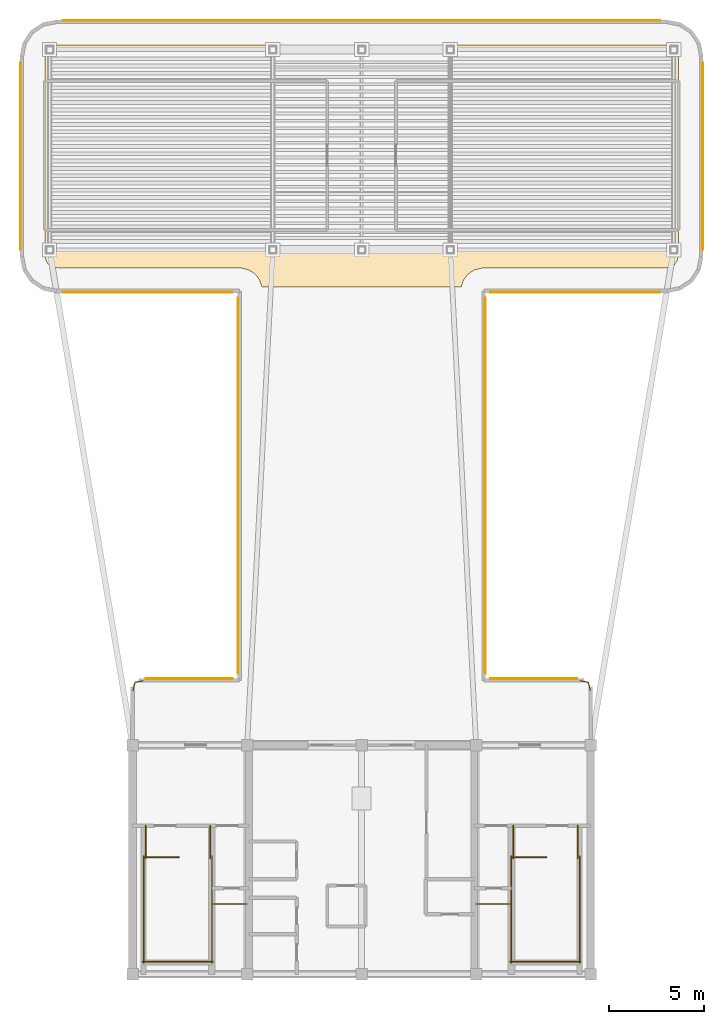
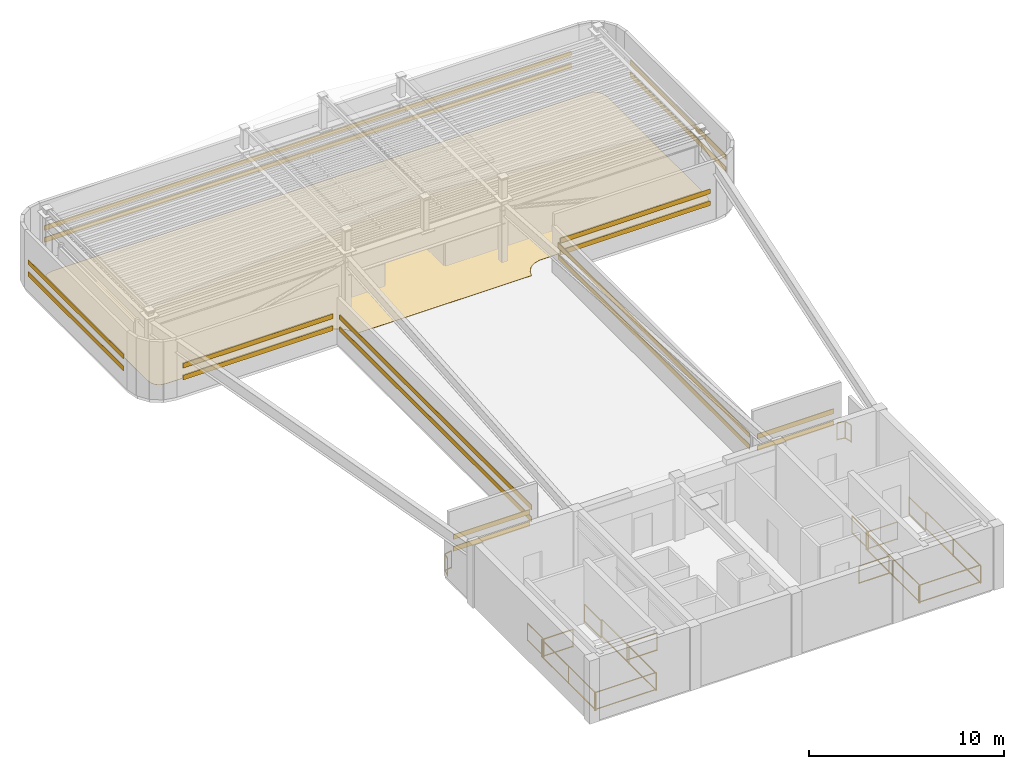
# One storey, part 7 of 7: 18 shading devices, 16 railings, 1 covering.
"""IFC4 building model written with IfcOpenShell, lengths in metres."""

from ifc_helpers import new_model, si_unit, direction, frame, origin, origin_2d, place, context, subcontext, project, spatial, polyline, rectangle, outline, extrude, source, transform, mapped, material, layer, layer_set, material_profile, profile_set, type_object, element, save


model = new_model("IFC4")

# Units and contexts
model_context = context("Model", 3, precision=1e-05, world=origin(), true_north=direction((0.0, 1.0)))
body_context = subcontext(model_context, "Body", "Model", "MODEL_VIEW")
ifc_project = project(units=[si_unit("LENGTHUNIT", "METRE"), si_unit("AREAUNIT", "SQUARE_METRE"), si_unit("VOLUMEUNIT", "CUBIC_METRE"), si_unit("PLANEANGLEUNIT", "RADIAN"), si_unit("MASSUNIT", "GRAM", prefix="KILO")], contexts=[model_context])

# Site, building, storey
site_placement = place(None, origin())
site = spatial("IfcSite", under=ifc_project, at=site_placement, CompositionType="ELEMENT")
building_placement = place(site_placement, origin())
building = spatial("IfcBuilding", under=site, at=building_placement, Name="Brelvock Crest Care Tower", CompositionType="ELEMENT")
storey_placement = place(building_placement, frame((0.0, 0.0, 315.719970703125)))
storey = spatial("IfcBuildingStorey", under=building, at=storey_placement, Name="L80", CompositionType="ELEMENT", Elevation=315.719970703125)

# Covering
ifc_material_1 = material(Name="Elastomeric Waterproofing Membrane", Category="membrane")
ifc_layer_1 = layer(ifc_material_1, 0.011962890625, Name="COV-RFM1")
ifc_layer_set_1 = layer_set([ifc_layer_1], Name="Elastomeric Waterproofing Membrane")
covering_type = type_object("IfcCoveringType", Name="COV-RFM1", PredefinedType="MEMBRANE", material=ifc_layer_set_1)
covering_placement = place(storey_placement, frame((0.0, 0.0, 0.01611328125)))
element("IfcCovering", 1, at=covering_placement, inside=storey, type_object=covering_type, Name="L80 Waterproofing Membrane 1", PredefinedType="MEMBRANE", context=body_context, shape_type="SweptSolid", body=[
    extrude(outline(polyline([(41.218017578125, 42.0), (41.341796875, 42.36572265625), (41.551513671875, 42.6484375), (41.7333984375, 42.7978515625), (41.94091796875, 42.90869140625), (42.282470703125, 42.994140625), (51.8818359375, 43.0), (52.220703125, 43.0673828125), (52.40771484375, 43.1923828125), (52.53271484375, 43.37939453125), (52.60009765625, 43.71826171875), (52.60009765625, 53.981689453125), (52.53271484375, 54.320556640625), (52.40771484375, 54.507568359375), (52.220703125, 54.632568359375), (51.8818359375, 54.699951171875), (20.1181640625, 54.699951171875), (19.779296875, 54.632568359375), (19.59228515625, 54.507568359375), (19.46728515625, 54.320556640625), (19.39990234375, 53.981689453125), (19.39990234375, 43.71826171875), (19.46728515625, 43.37939453125), (19.59228515625, 43.1923828125), (19.779296875, 43.0673828125), (20.1181640625, 43.0), (29.717529296875, 42.994140625), (30.05908203125, 42.90869140625), (30.361328125, 42.7275390625), (30.527587890625, 42.561279296875), (30.658203125, 42.36572265625), (30.781982421875, 42.0), (41.218017578125, 42.0)])), origin(), (0.0, 0.0, 1.0), 0.011962890625),
])

# Railings
ifc_material_2 = material(Name="Steel Grade 350", Category="steel")
ifc_layer_2 = layer(ifc_material_2, 0.06005859375, Name="RL-GRD1")
ifc_layer_set_2 = layer_set([ifc_layer_2], Name="Steel Grade 350")
railing_type_1 = type_object("IfcRailingType", Name="RL-GRD1", PredefinedType="GUARDRAIL", material=ifc_layer_set_2)
railing_1_placement = place(storey_placement, frame((24.02001953125, 20.85009765625, 0.004150390625)))
element("IfcRailing", 2, at=railing_1_placement, inside=storey, type_object=railing_type_1, Name="L80 West Throat Corner Guard", PredefinedType="GUARDRAIL", context=body_context, shape_type="SweptSolid", body=[
    extrude(rectangle(XDim=0.048095703125, YDim=0.048095703125, at=origin_2d()), frame((0.00048828125, 0.001953125, 1.09619140625), z_axis=(0.21715477266, 0.976137185395, 0.0), x_axis=(-0.976137185395, 0.21715477266, 0.0)), (0.0, 0.0, 1.0), 0.45703125),
    extrude(rectangle(XDim=0.048095703125, YDim=0.048095703125, at=origin_2d()), frame((0.00048828125, 0.001953125, 0.054931640625), z_axis=(0.21715477266, 0.976137185395, 0.0), x_axis=(-0.976137185395, 0.21715477266, 0.0)), (0.0, 0.0, 1.0), 0.45703125),
    extrude(rectangle(XDim=0.048095703125, YDim=0.048095703125, at=origin_2d()), frame((0.10205078125, 0.4501953125, 1.09619140625), z_axis=(0.983193031384, 0.182569063749, 0.0), x_axis=(-0.182569063749, 0.983193031384, 0.0)), (0.0, 0.0, 1.0), 0.433349609375),
    extrude(rectangle(XDim=0.048095703125, YDim=0.048095703125, at=origin_2d()), frame((0.10205078125, 0.4501953125, 0.054931640625), z_axis=(0.983193031384, 0.182569063749, 0.0), x_axis=(-0.182569063749, 0.983193031384, 0.0)), (0.0, 0.0, 1.0), 0.433349609375),
    extrude(rectangle(XDim=0.0419921875, YDim=0.0419921875, at=origin_2d()), origin(), (0.0, 0.0, 1.0), 1.070068359375),
    extrude(rectangle(XDim=0.0419921875, YDim=0.0419921875, at=origin_2d()), frame((0.10009765625, 0.449951171875, 0.0)), (0.0, 0.0, 1.0), 1.070068359375),
    extrude(rectangle(XDim=0.0419921875, YDim=0.0419921875, at=origin_2d()), frame((0.530029296875, 0.52978515625, 0.0)), (0.0, 0.0, 1.0), 1.070068359375),
])
railing_2_placement = place(storey_placement, frame((47.449951171875, 21.3798828125, 0.004150390625)))
element("IfcRailing", 3, at=railing_2_placement, inside=storey, type_object=railing_type_1, Name="L80 East Throat Corner Guard", PredefinedType="GUARDRAIL", context=body_context, shape_type="SweptSolid", body=[
    extrude(rectangle(XDim=0.048095703125, YDim=0.048095703125, at=origin_2d()), frame((0.001953125, -0.000244140625, 1.09619140625), z_axis=(0.983193031384, -0.182569063749, 0.0), x_axis=(0.182569063749, 0.983193031384, 0.0)), (0.0, 0.0, 1.0), 0.433349609375),
    extrude(rectangle(XDim=0.048095703125, YDim=0.048095703125, at=origin_2d()), frame((0.001953125, -0.000244140625, 0.054931640625), z_axis=(0.983193031384, -0.182569063749, 0.0), x_axis=(0.182569063749, 0.983193031384, 0.0)), (0.0, 0.0, 1.0), 0.433349609375),
    extrude(rectangle(XDim=0.048095703125, YDim=0.048095703125, at=origin_2d()), frame((0.430419921875, -0.081787109375, 1.09619140625), z_axis=(0.21715477266, -0.976137185395, 0.0), x_axis=(0.976137185395, 0.21715477266, 0.0)), (0.0, 0.0, 1.0), 0.45703125),
    extrude(rectangle(XDim=0.048095703125, YDim=0.048095703125, at=origin_2d()), frame((0.430419921875, -0.081787109375, 0.054931640625), z_axis=(0.21715477266, -0.976137185395, 0.0), x_axis=(0.976137185395, 0.21715477266, 0.0)), (0.0, 0.0, 1.0), 0.45703125),
    extrude(rectangle(XDim=0.0419921875, YDim=0.0419921875, at=origin_2d()), origin(), (0.0, 0.0, 1.0), 1.070068359375),
    extrude(rectangle(XDim=0.0419921875, YDim=0.0419921875, at=origin_2d()), frame((0.429931640625, -0.079833984375, 0.0)), (0.0, 0.0, 1.0), 1.070068359375),
    extrude(rectangle(XDim=0.0419921875, YDim=0.0419921875, at=origin_2d()), frame((0.530029296875, -0.52978515625, 0.0)), (0.0, 0.0, 1.0), 1.070068359375),
])
ifc_layer_3 = layer(ifc_material_2, 0.050048828125, Name="RL-STG1")
ifc_layer_set_3 = layer_set([ifc_layer_3], Name="Steel Grade 350")
railing_type_2 = type_object("IfcRailingType", Name="RL-STG1", PredefinedType="GUARDRAIL", material=ifc_layer_set_3)
railing_3_placement = place(storey_placement, frame((24.6298828125, 12.1298828125, 0.0)))
element("IfcRailing", 4, at=railing_3_placement, inside=storey, type_object=railing_type_2, Name="L80 ST-1 top well guard 1", PredefinedType="GUARDRAIL", context=body_context, shape_type="SweptSolid", body=[
    extrude(rectangle(XDim=0.048095703125, YDim=0.048095703125, at=origin_2d()), frame((0.001953125, 0.0, 1.11572265625), z_axis=(1.0, 0.0, 0.0), x_axis=(0.0, 1.0, 0.0)), (0.0, 0.0, 1.0), 1.796142578125),
    extrude(rectangle(XDim=0.048095703125, YDim=0.048095703125, at=origin_2d()), frame((0.001953125, 0.0, 0.054931640625), z_axis=(1.0, 0.0, 0.0), x_axis=(0.0, 1.0, 0.0)), (0.0, 0.0, 1.0), 1.796142578125),
    extrude(rectangle(XDim=0.0419921875, YDim=0.0419921875, at=origin_2d()), origin(), (0.0, 0.0, 1.0), 1.08984375),
    extrude(rectangle(XDim=0.0419921875, YDim=0.0419921875, at=origin_2d()), frame((1.800048828125, 0.0, 0.0)), (0.0, 0.0, 1.0), 1.08984375),
])
for number, where, name in (
    (5, (24.580078125, 12.179931640625, 0.0), "L80 ST-1 top well guard 2"),
    (6, (28.159912109375, 12.179931640625, 0.0), "L80 ST-1 top well guard 3"),
):
    element("IfcRailing", number, at=place(storey_placement, frame(where)), inside=storey, type_object=railing_type_2, Name=name, PredefinedType="GUARDRAIL", context=body_context, shape_type="SweptSolid", body=[
        extrude(rectangle(XDim=0.048095703125, YDim=0.048095703125, at=origin_2d()), frame((0.0, -0.001953125, 1.11572265625), z_axis=(0.0, -1.0, 0.0), x_axis=(1.0, 0.0, 0.0)), (0.0, 0.0, 1.0), 5.575927734375),
        extrude(rectangle(XDim=0.048095703125, YDim=0.048095703125, at=origin_2d()), frame((0.0, -0.001953125, 0.054931640625), z_axis=(0.0, -1.0, 0.0), x_axis=(1.0, 0.0, 0.0)), (0.0, 0.0, 1.0), 5.575927734375),
        extrude(rectangle(XDim=0.0419921875, YDim=0.0419921875, at=origin_2d()), origin(), (0.0, 0.0, 1.0), 1.08984375),
        extrude(rectangle(XDim=0.0419921875, YDim=0.0419921875, at=origin_2d()), frame((0.0, -2.7900390625, 0.0)), (0.0, 0.0, 1.0), 1.08984375),
        extrude(rectangle(XDim=0.0419921875, YDim=0.0419921875, at=origin_2d()), frame((0.0, -5.579833984375, 0.0)), (0.0, 0.0, 1.0), 1.08984375),
    ])
railing_4_placement = place(storey_placement, frame((24.530029296875, 6.64990234375, 0.0)))
element("IfcRailing", 7, at=railing_4_placement, inside=storey, type_object=railing_type_2, Name="L80 ST-1 top well guard 4", PredefinedType="GUARDRAIL", context=body_context, shape_type="SweptSolid", body=[
    extrude(rectangle(XDim=0.048095703125, YDim=0.048095703125, at=origin_2d()), frame((0.001953125, 0.0, 1.11572265625), z_axis=(1.0, 0.0, 0.0), x_axis=(0.0, 1.0, 0.0)), (0.0, 0.0, 1.0), 3.676025390625),
    extrude(rectangle(XDim=0.048095703125, YDim=0.048095703125, at=origin_2d()), frame((0.001953125, 0.0, 0.054931640625), z_axis=(1.0, 0.0, 0.0), x_axis=(0.0, 1.0, 0.0)), (0.0, 0.0, 1.0), 3.676025390625),
    extrude(rectangle(XDim=0.0419921875, YDim=0.0419921875, at=origin_2d()), origin(), (0.0, 0.0, 1.0), 1.08984375),
    extrude(rectangle(XDim=0.0419921875, YDim=0.0419921875, at=origin_2d()), frame((3.679931640625, 0.0, 0.0)), (0.0, 0.0, 1.0), 1.08984375),
])
for number, where, name in (
    (8, (24.679931640625, 13.780029296875, 0.0), "L80 ST-1 top well guard 5"),
    (9, (28.06005859375, 13.780029296875, 0.0), "L80 ST-1 top well guard 6"),
):
    element("IfcRailing", number, at=place(storey_placement, frame(where)), inside=storey, type_object=railing_type_2, Name=name, PredefinedType="GUARDRAIL", context=body_context, shape_type="SweptSolid", body=[
        extrude(rectangle(XDim=0.048095703125, YDim=0.048095703125, at=origin_2d()), frame((0.0, -0.001953125, 1.11572265625), z_axis=(0.0, -1.0, 0.0), x_axis=(1.0, 0.0, 0.0)), (0.0, 0.0, 1.0), 1.696044921875),
        extrude(rectangle(XDim=0.048095703125, YDim=0.048095703125, at=origin_2d()), frame((0.0, -0.001953125, 0.054931640625), z_axis=(0.0, -1.0, 0.0), x_axis=(1.0, 0.0, 0.0)), (0.0, 0.0, 1.0), 1.696044921875),
        extrude(rectangle(XDim=0.0419921875, YDim=0.0419921875, at=origin_2d()), origin(), (0.0, 0.0, 1.0), 1.08984375),
        extrude(rectangle(XDim=0.0419921875, YDim=0.0419921875, at=origin_2d()), frame((0.0, -1.699951171875, 0.0)), (0.0, 0.0, 1.0), 1.08984375),
    ])
railing_5_placement = place(storey_placement, frame((43.889892578125, 12.1298828125, 0.0)))
element("IfcRailing", 10, at=railing_5_placement, inside=storey, type_object=railing_type_2, Name="L80 ST-2 top well guard 1", PredefinedType="GUARDRAIL", context=body_context, shape_type="SweptSolid", body=[
    extrude(rectangle(XDim=0.048095703125, YDim=0.048095703125, at=origin_2d()), frame((0.001953125, 0.0, 1.11572265625), z_axis=(1.0, 0.0, 0.0), x_axis=(0.0, 1.0, 0.0)), (0.0, 0.0, 1.0), 1.796142578125),
    extrude(rectangle(XDim=0.048095703125, YDim=0.048095703125, at=origin_2d()), frame((0.001953125, 0.0, 0.054931640625), z_axis=(1.0, 0.0, 0.0), x_axis=(0.0, 1.0, 0.0)), (0.0, 0.0, 1.0), 1.796142578125),
    extrude(rectangle(XDim=0.0419921875, YDim=0.0419921875, at=origin_2d()), origin(), (0.0, 0.0, 1.0), 1.08984375),
    extrude(rectangle(XDim=0.0419921875, YDim=0.0419921875, at=origin_2d()), frame((1.800048828125, 0.0, 0.0)), (0.0, 0.0, 1.0), 1.08984375),
])
for number, where, name in (
    (11, (43.840087890625, 12.179931640625, 0.0), "L80 ST-2 top well guard 2"),
    (12, (47.419921875, 12.179931640625, 0.0), "L80 ST-2 top well guard 3"),
):
    element("IfcRailing", number, at=place(storey_placement, frame(where)), inside=storey, type_object=railing_type_2, Name=name, PredefinedType="GUARDRAIL", context=body_context, shape_type="SweptSolid", body=[
        extrude(rectangle(XDim=0.048095703125, YDim=0.048095703125, at=origin_2d()), frame((0.0, -0.001953125, 1.11572265625), z_axis=(0.0, -1.0, 0.0), x_axis=(1.0, 0.0, 0.0)), (0.0, 0.0, 1.0), 5.575927734375),
        extrude(rectangle(XDim=0.048095703125, YDim=0.048095703125, at=origin_2d()), frame((0.0, -0.001953125, 0.054931640625), z_axis=(0.0, -1.0, 0.0), x_axis=(1.0, 0.0, 0.0)), (0.0, 0.0, 1.0), 5.575927734375),
        extrude(rectangle(XDim=0.0419921875, YDim=0.0419921875, at=origin_2d()), origin(), (0.0, 0.0, 1.0), 1.08984375),
        extrude(rectangle(XDim=0.0419921875, YDim=0.0419921875, at=origin_2d()), frame((0.0, -2.7900390625, 0.0)), (0.0, 0.0, 1.0), 1.08984375),
        extrude(rectangle(XDim=0.0419921875, YDim=0.0419921875, at=origin_2d()), frame((0.0, -5.579833984375, 0.0)), (0.0, 0.0, 1.0), 1.08984375),
    ])
railing_6_placement = place(storey_placement, frame((43.7900390625, 6.64990234375, 0.0)))
element("IfcRailing", 13, at=railing_6_placement, inside=storey, type_object=railing_type_2, Name="L80 ST-2 top well guard 4", PredefinedType="GUARDRAIL", context=body_context, shape_type="SweptSolid", body=[
    extrude(rectangle(XDim=0.048095703125, YDim=0.048095703125, at=origin_2d()), frame((0.001953125, 0.0, 1.11572265625), z_axis=(1.0, 0.0, 0.0), x_axis=(0.0, 1.0, 0.0)), (0.0, 0.0, 1.0), 3.676025390625),
    extrude(rectangle(XDim=0.048095703125, YDim=0.048095703125, at=origin_2d()), frame((0.001953125, 0.0, 0.054931640625), z_axis=(1.0, 0.0, 0.0), x_axis=(0.0, 1.0, 0.0)), (0.0, 0.0, 1.0), 3.676025390625),
    extrude(rectangle(XDim=0.0419921875, YDim=0.0419921875, at=origin_2d()), origin(), (0.0, 0.0, 1.0), 1.08984375),
    extrude(rectangle(XDim=0.0419921875, YDim=0.0419921875, at=origin_2d()), frame((3.679931640625, 0.0, 0.0)), (0.0, 0.0, 1.0), 1.08984375),
])
for number, where, name in (
    (14, (43.93994140625, 13.780029296875, 0.0), "L80 ST-2 top well guard 5"),
    (15, (47.320068359375, 13.780029296875, 0.0), "L80 ST-2 top well guard 6"),
):
    element("IfcRailing", number, at=place(storey_placement, frame(where)), inside=storey, type_object=railing_type_2, Name=name, PredefinedType="GUARDRAIL", context=body_context, shape_type="SweptSolid", body=[
        extrude(rectangle(XDim=0.048095703125, YDim=0.048095703125, at=origin_2d()), frame((0.0, -0.001953125, 1.11572265625), z_axis=(0.0, -1.0, 0.0), x_axis=(1.0, 0.0, 0.0)), (0.0, 0.0, 1.0), 1.696044921875),
        extrude(rectangle(XDim=0.048095703125, YDim=0.048095703125, at=origin_2d()), frame((0.0, -0.001953125, 0.054931640625), z_axis=(0.0, -1.0, 0.0), x_axis=(1.0, 0.0, 0.0)), (0.0, 0.0, 1.0), 1.696044921875),
        extrude(rectangle(XDim=0.0419921875, YDim=0.0419921875, at=origin_2d()), origin(), (0.0, 0.0, 1.0), 1.08984375),
        extrude(rectangle(XDim=0.0419921875, YDim=0.0419921875, at=origin_2d()), frame((0.0, -1.699951171875, 0.0)), (0.0, 0.0, 1.0), 1.08984375),
    ])
for number, where, name in (
    (16, (28.219970703125, 9.679931640625, 0.0), "L80 Fire Riser Threshold Guard"),
    (17, (42.0, 9.679931640625, 0.0), "L80 Exhaust Riser Threshold Guard"),
):
    element("IfcRailing", number, at=place(storey_placement, frame(where)), inside=storey, type_object=railing_type_2, Name=name, PredefinedType="GUARDRAIL", context=body_context, shape_type="SweptSolid", body=[
        extrude(rectangle(XDim=0.048095703125, YDim=0.048095703125, at=origin_2d()), frame((0.001953125, 0.0, 1.11572265625), z_axis=(1.0, 0.0, 0.0), x_axis=(0.0, 1.0, 0.0)), (0.0, 0.0, 1.0), 1.776123046875),
        extrude(rectangle(XDim=0.048095703125, YDim=0.048095703125, at=origin_2d()), frame((0.001953125, 0.0, 0.054931640625), z_axis=(1.0, 0.0, 0.0), x_axis=(0.0, 1.0, 0.0)), (0.0, 0.0, 1.0), 1.776123046875),
        extrude(rectangle(XDim=0.0419921875, YDim=0.0419921875, at=origin_2d()), origin(), (0.0, 0.0, 1.0), 1.08984375),
        extrude(rectangle(XDim=0.0419921875, YDim=0.0419921875, at=origin_2d()), frame((1.780029296875, 0.0, 0.0)), (0.0, 0.0, 1.0), 1.08984375),
    ])

# Shading devices
ifc_material_3 = material(Name="Aluminium 6063-T6", Category="aluminium")
ifc_material_profile_1 = material_profile(ifc_material_3, rectangle(XDim=0.044921875, YDim=0.300048828125, at=origin_2d()), Name="LOUVRE45x300")
ifc_profile_set_1 = profile_set([ifc_material_profile_1], Name="Aluminium 6063-T6")
shading_device_type_1 = type_object("IfcShadingDeviceType", Name="SHD-SH1", PredefinedType="SHUTTER", material=ifc_profile_set_1)
shared_shape_1 = source(origin(), body_context, "Body", "SweptSolid", [
    extrude(rectangle(XDim=0.044921875, YDim=0.300048828125, at=origin_2d()), origin(), (0.0, 0.0, 1.0), 4.550048828125),
])
for number, where, z_axis, x_axis, name in (
    (18, (24.699951171875, 21.47509765625, 1.10009765625), (1.0, 0.0, 0.0), (0.0, 1.0, 0.0), "L80 Crown Acoustic Louvre 11-1"),
    (19, (24.699951171875, 21.47509765625, 1.85009765625), (1.0, 0.0, 0.0), (0.0, 1.0, 0.0), "L80 Crown Acoustic Louvre 11-2"),
    (20, (42.75, 21.47509765625, 1.10009765625), (1.0, 0.0, 0.0), (0.0, 1.0, 0.0), "L80 Crown Acoustic Louvre 35-1"),
    (21, (42.75, 21.47509765625, 1.85009765625), (1.0, 0.0, 0.0), (0.0, 1.0, 0.0), "L80 Crown Acoustic Louvre 35-2"),
):
    element("IfcShadingDevice", number, at=place(storey_placement, frame(where, z_axis=z_axis, x_axis=x_axis)), inside=storey, type_object=shading_device_type_1, Name=name, PredefinedType="SHUTTER", context=body_context, shape_type="MappedRepresentation", body=[
        mapped(shared_shape_1, transform((0.0, 0.0, 0.0), x_axis=(1.0, 0.0, 0.0), y_axis=(0.0, 1.0, 0.0), z_axis=(0.0, 0.0, 1.0), scale=1.0)),
    ])
ifc_material_profile_2 = material_profile(ifc_material_3, rectangle(XDim=0.044921875, YDim=0.300048828125, at=origin_2d()), Name="LOUVRE45x300")
ifc_profile_set_2 = profile_set([ifc_material_profile_2], Name="Aluminium 6063-T6")
shading_device_type_2 = type_object("IfcShadingDeviceType", Name="SHD-LV1", PredefinedType="JALOUSIE", material=ifc_profile_set_2)
shared_shape_2 = source(origin(), body_context, "Body", "SweptSolid", [
    extrude(rectangle(XDim=0.044921875, YDim=0.300048828125, at=origin_2d()), origin(), (0.0, 0.0, 1.0), 19.699951171875),
])
for number, where, z_axis, x_axis, name in (
    (22, (29.52490234375, 21.75, 1.10009765625), (0.0, 1.0, 0.0), (-1.0, 0.0, 0.0), "L80 Crown Acoustic Louvre 12-1"),
    (23, (29.52490234375, 21.75, 1.85009765625), (0.0, 1.0, 0.0), (-1.0, 0.0, 0.0), "L80 Crown Acoustic Louvre 12-2"),
    (24, (42.47509765625, 41.449951171875, 1.10009765625), (0.0, -1.0, 0.0), (1.0, 0.0, 0.0), "L80 Crown Acoustic Louvre 34-1"),
    (25, (42.47509765625, 41.449951171875, 1.85009765625), (0.0, -1.0, 0.0), (1.0, 0.0, 0.0), "L80 Crown Acoustic Louvre 34-2"),
):
    element("IfcShadingDevice", number, at=place(storey_placement, frame(where, z_axis=z_axis, x_axis=x_axis)), inside=storey, type_object=shading_device_type_2, Name=name, PredefinedType="JALOUSIE", context=body_context, shape_type="MappedRepresentation", body=[
        mapped(shared_shape_2, transform((0.0, 0.0, 0.0), x_axis=(1.0, 0.0, 0.0), y_axis=(0.0, 1.0, 0.0), z_axis=(0.0, 0.0, 1.0), scale=1.0)),
    ])
shared_shape_3 = source(origin(), body_context, "Body", "SweptSolid", [
    extrude(rectangle(XDim=0.044921875, YDim=0.300048828125, at=origin_2d()), origin(), (0.0, 0.0, 1.0), 9.800048828125),
])
for number, where, z_axis, x_axis, name in (
    (26, (18.125, 43.949951171875, 1.10009765625), (0.0, 1.0, 0.0), (-1.0, 0.0, 0.0), "L80 Crown Acoustic Louvre 18-1"),
    (27, (18.125, 43.949951171875, 1.85009765625), (0.0, 1.0, 0.0), (-1.0, 0.0, 0.0), "L80 Crown Acoustic Louvre 18-2"),
    (28, (53.875, 53.75, 1.10009765625), (0.0, -1.0, 0.0), (1.0, 0.0, 0.0), "L80 Crown Acoustic Louvre 28-1"),
    (29, (53.875, 53.75, 1.85009765625), (0.0, -1.0, 0.0), (1.0, 0.0, 0.0), "L80 Crown Acoustic Louvre 28-2"),
):
    element("IfcShadingDevice", number, at=place(storey_placement, frame(where, z_axis=z_axis, x_axis=x_axis)), inside=storey, type_object=shading_device_type_2, Name=name, PredefinedType="JALOUSIE", context=body_context, shape_type="MappedRepresentation", body=[
        mapped(shared_shape_3, transform((0.0, 0.0, 0.0), x_axis=(1.0, 0.0, 0.0), y_axis=(0.0, 1.0, 0.0), z_axis=(0.0, 0.0, 1.0), scale=1.0)),
    ])
shared_shape_4 = source(origin(), body_context, "Body", "SweptSolid", [
    extrude(rectangle(XDim=0.044921875, YDim=0.300048828125, at=origin_2d()), origin(), (0.0, 0.0, 1.0), 8.89990234375),
])
for number, where, z_axis, x_axis, name in (
    (30, (29.25, 41.72509765625, 1.10009765625), (-1.0, 0.0, 0.0), (0.0, -1.0, 0.0), "L80 Crown Acoustic Louvre 13-1"),
    (31, (29.25, 41.72509765625, 1.85009765625), (-1.0, 0.0, 0.0), (0.0, -1.0, 0.0), "L80 Crown Acoustic Louvre 13-2"),
    (32, (51.64990234375, 41.72509765625, 1.10009765625), (-1.0, 0.0, 0.0), (0.0, -1.0, 0.0), "L80 Crown Acoustic Louvre 33-1"),
    (33, (51.64990234375, 41.72509765625, 1.85009765625), (-1.0, 0.0, 0.0), (0.0, -1.0, 0.0), "L80 Crown Acoustic Louvre 33-2"),
):
    element("IfcShadingDevice", number, at=place(storey_placement, frame(where, z_axis=z_axis, x_axis=x_axis)), inside=storey, type_object=shading_device_type_1, Name=name, PredefinedType="SHUTTER", context=body_context, shape_type="MappedRepresentation", body=[
        mapped(shared_shape_4, transform((0.0, 0.0, 0.0), x_axis=(1.0, 0.0, 0.0), y_axis=(0.0, 1.0, 0.0), z_axis=(0.0, 0.0, 1.0), scale=1.0)),
    ])
shared_shape_5 = source(origin(), body_context, "Body", "SweptSolid", [
    extrude(rectangle(XDim=0.044921875, YDim=0.300048828125, at=origin_2d()), origin(), (0.0, 0.0, 1.0), 31.2998046875),
])
for number, where, z_axis, x_axis, name in (
    (34, (20.35009765625, 55.97509765625, 1.10009765625), (1.0, 0.0, 0.0), (0.0, 1.0, 0.0), "L80 Crown Acoustic Louvre 23-1"),
    (35, (20.35009765625, 55.97509765625, 1.85009765625), (1.0, 0.0, 0.0), (0.0, 1.0, 0.0), "L80 Crown Acoustic Louvre 23-2"),
):
    element("IfcShadingDevice", number, at=place(storey_placement, frame(where, z_axis=z_axis, x_axis=x_axis)), inside=storey, type_object=shading_device_type_1, Name=name, PredefinedType="SHUTTER", context=body_context, shape_type="MappedRepresentation", body=[
        mapped(shared_shape_5, transform((0.0, 0.0, 0.0), x_axis=(1.0, 0.0, 0.0), y_axis=(0.0, 1.0, 0.0), z_axis=(0.0, 0.0, 1.0), scale=1.0)),
    ])

save(model, "model.ifc")
